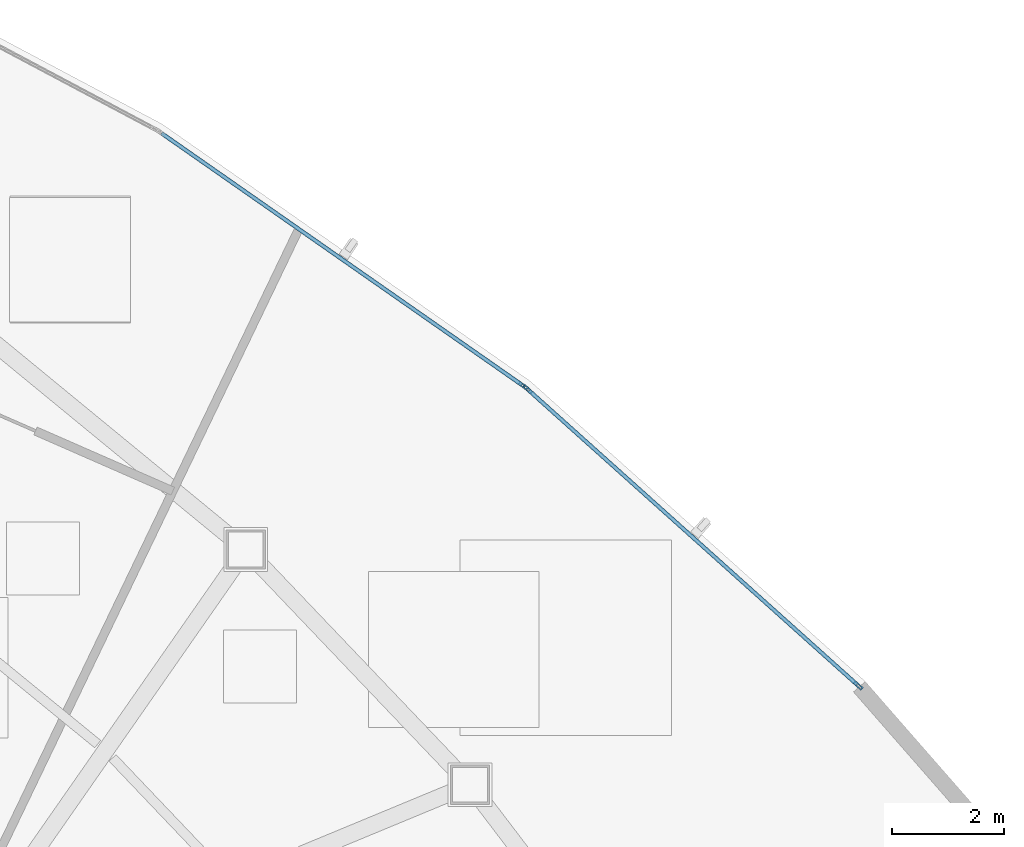
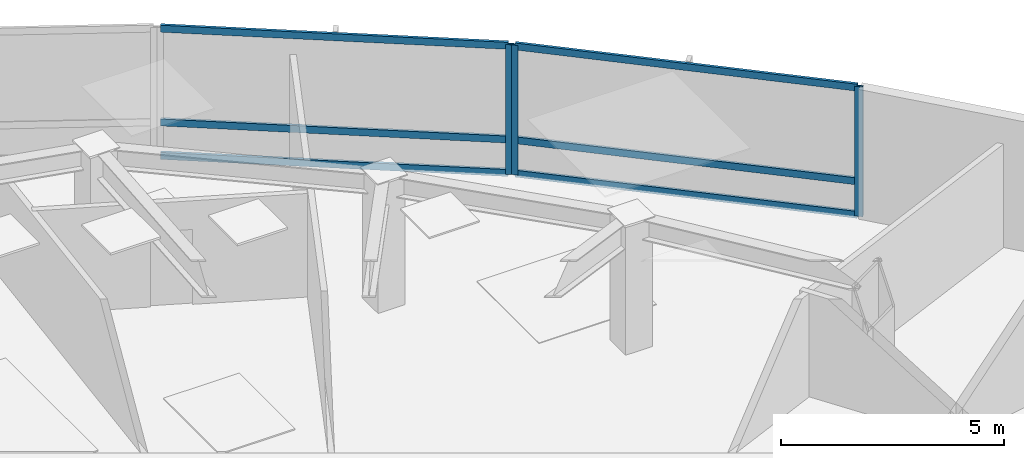
# One storey, part 9 of 17: 9 members, 2 elements without a shape of their own.
"""IFC4 building model written with IfcOpenShell, lengths in metres."""

import ifcopenshell
import ifcopenshell.guid

model = None  # the IFC model being written
_history = None  # IfcOwnerHistory: only IFC2X3 demands one
_inside = {}  # id of a spatial element -> (the spatial element, [elements in it])
_under = {}  # id of a project, library or spatial element -> (it, [spatial elements below it])
_declared = {}  # id of a project -> (the project, [libraries it declares])
_typed = {}  # id of a type object -> (the type object, [elements of that type])
_made_of = {}  # id of a material, layer set ... -> (it, [elements and type objects made of it])


def new_model(schema):
    """Start an empty IFC model of exactly this schema.

    Asked for "IFC4X3", IfcOpenShell would pick the latest addendum, in which some entities
    have other attributes; the version numbers below select the first issue.
    IFC2X3 requires an IfcOwnerHistory on every rooted entity: one is made here for all.
    """
    global model, _history
    if schema == "IFC4X3":
        model = ifcopenshell.file(schema_version=(4, 3, 0, 0))
    else:
        model = ifcopenshell.file(schema=schema)
    _inside.clear()
    _under.clear()
    _declared.clear()
    _typed.clear()
    _made_of.clear()
    _history = None
    if model.schema == "IFC2X3":
        org = make("IfcOrganization", Name="unknown")
        user = make(
            "IfcPersonAndOrganization",
            ThePerson=make("IfcPerson", FamilyName="unknown"),
            TheOrganization=org,
        )
        app = make(
            "IfcApplication",
            ApplicationDeveloper=org,
            Version="unknown",
            ApplicationFullName="unknown",
            ApplicationIdentifier="unknown",
        )
        _history = make(
            "IfcOwnerHistory",
            OwningUser=user,
            OwningApplication=app,
            ChangeAction="ADDED",
            CreationDate=0,
        )
    return model


def make(cls, **values):
    """One entity of the class cls with the attributes given. An attribute that is None is left unset."""
    return model.create_entity(
        cls, **{name: value for name, value in values.items() if value is not None}
    )


def rooted(cls, **values):
    """An entity with a GlobalId (a new one), such as an element, a storey or a relation."""
    return make(cls, GlobalId=ifcopenshell.guid.new(), OwnerHistory=_history, **values)


def si_unit(unit_type, name, prefix=None):
    """IfcSIUnit, for example si_unit("LENGTHUNIT", "METRE", prefix="MILLI")."""
    return make("IfcSIUnit", UnitType=unit_type, Prefix=prefix, Name=name)


def assignment(units):
    """IfcUnitAssignment: the units of a project."""
    return None if units is None else make("IfcUnitAssignment", Units=units)


def point(xyz):
    """IfcCartesianPoint."""
    return None if xyz is None else make("IfcCartesianPoint", Coordinates=xyz)


def direction(xyz):
    """IfcDirection."""
    return None if xyz is None else make("IfcDirection", DirectionRatios=xyz)


def frame(location, z_axis=None, x_axis=None):
    """IfcAxis2Placement3D, a coordinate frame: its origin and axes. An axis left out is left unset."""
    return make(
        "IfcAxis2Placement3D",
        Location=point(location),
        Axis=direction(z_axis),
        RefDirection=direction(x_axis),
    )


def frame_2d(location, x_axis=None):
    """IfcAxis2Placement2D, a coordinate frame in the plane: its origin and x axis."""
    return make(
        "IfcAxis2Placement2D", Location=point(location), RefDirection=direction(x_axis)
    )


def origin():
    """The frame at (0, 0, 0) with its axes left unset."""
    return frame((0.0, 0.0, 0.0))


def origin_2d():
    """The frame at (0, 0) in the plane with its x axis left unset."""
    return frame_2d((0.0, 0.0))


def place(relative_to, where):
    """IfcLocalPlacement: puts the frame where relative to a parent placement (None: the world)."""
    return make(
        "IfcLocalPlacement", PlacementRelTo=relative_to, RelativePlacement=where
    )


def context(
    kind, dimensions, precision=None, world=None, true_north=None, identifier=None
):
    """IfcGeometricRepresentationContext, for example the 3D "Model" context."""
    return make(
        "IfcGeometricRepresentationContext",
        ContextIdentifier=identifier,
        ContextType=kind,
        CoordinateSpaceDimension=dimensions,
        Precision=precision,
        WorldCoordinateSystem=world,
        TrueNorth=true_north,
    )


def subcontext(parent, identifier, kind, view, scale=None):
    """IfcGeometricRepresentationSubContext, for example "Body" below "Model"."""
    return make(
        "IfcGeometricRepresentationSubContext",
        ContextIdentifier=identifier,
        ContextType=kind,
        ParentContext=parent,
        TargetScale=scale,
        TargetView=view,
    )


def project(units=None, contexts=None):
    """IfcProject with its units and contexts."""
    return rooted(
        "IfcProject",
        Name="project",
        RepresentationContexts=contexts,
        UnitsInContext=assignment(units),
    )


def spatial(cls, under=None, at=None, **own):
    """A site, building, storey or space (cls), placed at a placement, below another one or the project."""
    s = rooted(cls, ObjectPlacement=at, **own)
    if under is not None:
        _under.setdefault(under.id(), (under, []))[1].append(s)
    return s


def profile(cls, at=None, kind="AREA", **sizes):
    """A parametric profile (cls). Its sizes go by their IFC names, for example OverallWidth=200.0."""
    return make(cls, ProfileType=kind, Position=at, **sizes)


def hollow_rectangle(**sizes):
    """IfcRectangleHollowProfileDef."""
    return profile("IfcRectangleHollowProfileDef", **sizes)


def extrude(swept, where, along, depth):
    """IfcExtrudedAreaSolid: the profile swept, set in the frame where, extruded along a direction by depth."""
    return make(
        "IfcExtrudedAreaSolid",
        SweptArea=swept,
        Position=where,
        ExtrudedDirection=direction(along),
        Depth=depth,
    )


def shape(context_of_items, identifier, shape_type, items):
    """IfcShapeRepresentation: the items that make up one representation, for example the "Body"."""
    return make(
        "IfcShapeRepresentation",
        ContextOfItems=context_of_items,
        RepresentationIdentifier=identifier,
        RepresentationType=shape_type,
        Items=items,
    )


def source(mapping_origin, context_of_items, identifier, shape_type, items):
    """IfcRepresentationMap: a shape defined once, which mapped items show again and again."""
    return make(
        "IfcRepresentationMap",
        MappingOrigin=mapping_origin,
        MappedRepresentation=shape(context_of_items, identifier, shape_type, items),
    )


def transform(
    local_origin,
    x_axis=None,
    y_axis=None,
    z_axis=None,
    scale=None,
    scale2=None,
    scale3=None,
    uniform=True,
):
    """IfcCartesianTransformationOperator3D, or its non-uniform kind. x_axis, y_axis, z_axis: its Axis1, 2, 3."""
    if uniform:
        return make(
            "IfcCartesianTransformationOperator3D",
            Axis1=direction(x_axis),
            Axis2=direction(y_axis),
            LocalOrigin=point(local_origin),
            Scale=scale,
            Axis3=direction(z_axis),
        )
    return make(
        "IfcCartesianTransformationOperator3DnonUniform",
        Axis1=direction(x_axis),
        Axis2=direction(y_axis),
        LocalOrigin=point(local_origin),
        Scale=scale,
        Axis3=direction(z_axis),
        Scale2=scale2,
        Scale3=scale3,
    )


def mapped(mapping_source, mapping_target):
    """IfcMappedItem: shows the shape of a source again, moved by a transform."""
    return make(
        "IfcMappedItem", MappingSource=mapping_source, MappingTarget=mapping_target
    )


def material(Name=None, Category=None):
    """IfcMaterial."""
    return make("IfcMaterial", Name=Name, Category=Category)


def layer(
    of_material, thickness, ventilated=None, Name=None, Category=None, Priority=None
):
    """IfcMaterialLayer: one layer of a wall or slab, of a material (None: an air gap)."""
    return make(
        "IfcMaterialLayer",
        Material=of_material,
        LayerThickness=thickness,
        IsVentilated=ventilated,
        Name=Name,
        Category=Category,
        Priority=Priority,
    )


def layer_set(layers, Name=None):
    """IfcMaterialLayerSet."""
    return make("IfcMaterialLayerSet", MaterialLayers=layers, LayerSetName=Name)


def material_profile(
    of_material, cross_section, Name=None, Category=None, Priority=None
):
    """IfcMaterialProfile: a cross section and its material."""
    return make(
        "IfcMaterialProfile",
        Name=Name,
        Material=of_material,
        Profile=cross_section,
        Priority=Priority,
        Category=Category,
    )


def profile_set(profiles, Name=None, composite=None):
    """IfcMaterialProfileSet."""
    return make(
        "IfcMaterialProfileSet",
        Name=Name,
        MaterialProfiles=profiles,
        CompositeProfile=composite,
    )


def made_of(thing, what):
    """Note that an element or type object is made of a material, layer set ...; save() writes the relation."""
    if what is not None:
        _made_of.setdefault(what.id(), (what, []))[1].append(thing)
    return thing


def type_object(cls, material=None, **own):
    """A type object (cls), such as IfcWallType, which elements share."""
    return made_of(rooted(cls, **own), material)


def type_shapes(of_type, sources):
    """Give a type object the sources (RepresentationMaps) that its elements show as mapped items."""
    of_type.RepresentationMaps = sources


def element(
    cls,
    number,
    at=None,
    inside=None,
    cuts=None,
    type_object=None,
    material=None,
    context=None,
    identifier="Body",
    shape_type=None,
    held_by="IfcProductDefinitionShape",
    body=None,
    shapes=None,
    **own,
):
    """One element of the class cls, such as IfcWall. Its Tag is "e" and its number.

    at: its placement. inside: the storey or other place that contains it. cuts: it is an
    opening in that element (IfcRelVoidsElement). A single representation is given by context,
    identifier, shape_type and body (its items); several are given by shapes. held_by: the class
    of the entity that holds the representations. save() writes the other relations.
    """
    e = rooted(cls, Tag="e%d" % number, ObjectPlacement=at, **own)
    if body is not None:
        shapes = [shape(context, identifier, shape_type, body)]
    if shapes is not None:
        e.Representation = make(held_by, Representations=shapes)
    if inside is not None:
        _inside.setdefault(inside.id(), (inside, []))[1].append(e)
    if cuts is not None:
        rooted(
            "IfcRelVoidsElement", RelatingBuildingElement=cuts, RelatedOpeningElement=e
        )
    if type_object is not None:
        _typed.setdefault(type_object.id(), (type_object, []))[1].append(e)
    return made_of(e, material)


def aggregate(whole, parts):
    """IfcRelAggregates: a whole, such as a stair, and the parts it consists of."""
    return rooted("IfcRelAggregates", RelatingObject=whole, RelatedObjects=parts)


def save(model, path):
    """Write the relations noted so far, then the file.

    IfcRelAggregates (storeys below a building ...), IfcRelContainedInSpatialStructure (elements
    in a storey), IfcRelDefinesByType, IfcRelAssociatesMaterial and IfcRelDeclares: one each for
    every whole, place, type object, material and project.
    """
    for whole, parts in _under.values():
        aggregate(whole, parts)
    for where, things in _inside.values():
        rooted(
            "IfcRelContainedInSpatialStructure",
            RelatedElements=things,
            RelatingStructure=where,
        )
    for kind, things in _typed.values():
        rooted("IfcRelDefinesByType", RelatedObjects=things, RelatingType=kind)
    for what, things in _made_of.values():
        rooted("IfcRelAssociatesMaterial", RelatedObjects=things, RelatingMaterial=what)
    for by, libraries in _declared.values():
        rooted("IfcRelDeclares", RelatingContext=by, RelatedDefinitions=libraries)
    model.write(path)


model = new_model("IFC4")

# Units and contexts
model_context = context("Model", 3, precision=1e-05, world=origin(), true_north=direction((0.0, 1.0)))
body_context = subcontext(model_context, "Body", "Model", "MODEL_VIEW")
ifc_project = project(units=[si_unit("LENGTHUNIT", "METRE"), si_unit("AREAUNIT", "SQUARE_METRE"), si_unit("VOLUMEUNIT", "CUBIC_METRE"), si_unit("PLANEANGLEUNIT", "RADIAN"), si_unit("MASSUNIT", "GRAM", prefix="KILO")], contexts=[model_context])

# Site, building, storey
site_placement = place(None, origin())
site = spatial("IfcSite", under=ifc_project, at=site_placement, CompositionType="ELEMENT")
building_placement = place(site_placement, origin())
building = spatial("IfcBuilding", under=site, at=building_placement, Name="Tavelor Broadcast Tower", CompositionType="ELEMENT")
storey_placement = place(building_placement, frame((0.0, 0.0, 123.300048828125)))
storey = spatial("IfcBuildingStorey", under=building, at=storey_placement, Name="L28", CompositionType="ELEMENT", Elevation=123.300048828125)

# Curtain wall, members
ifc_material = material(Name="Architectural Anodized Aluminium", Category="aluminium")
ifc_layer = layer(ifc_material, 0.18994140625)
ifc_layer_set = layer_set([ifc_layer], Name="Architectural Anodized Aluminium")
curtain_wall_type = type_object("IfcCurtainWallType", Name="Tower Mid-Zone Acoustic Curtain Wall CW03", PredefinedType="NOTDEFINED", material=ifc_layer_set)
curtain_wall_1_placement = place(storey_placement, origin())
curtain_wall_1 = element("IfcCurtainWall", 1, at=curtain_wall_1_placement, inside=storey, type_object=curtain_wall_type, Name="L28 Curtain Wall CW03 Run 285", PredefinedType="NOTDEFINED")
ifc_material_profile_1 = material_profile(ifc_material, hollow_rectangle(XDim=0.068115234375, YDim=0.18994140625, WallThickness=0.02197265625, at=origin_2d()), Name="RHS 68x190x22")
ifc_profile_set_1 = profile_set([ifc_material_profile_1], Name="Architectural Anodized Aluminium")
member_type_1 = type_object("IfcMemberType", Name="CW03 Extruded Aluminium Mullion 68x190", PredefinedType="MULLION", material=ifc_profile_set_1)
shared_shape_1 = source(origin(), body_context, "Body", "SweptSolid", [
    extrude(hollow_rectangle(XDim=0.068115234375, YDim=0.18994140625, WallThickness=0.02197265625, at=origin_2d()), origin(), (0.0, 0.0, 1.0), 3.550048828125),
])
type_shapes(member_type_1, [shared_shape_1])
member_1_placement = place(storey_placement, frame((73.235595703125, 56.993896484375, 0.0), z_axis=(0.0, 0.0, 1.0), x_axis=(-0.667515040888, -0.744596313574, 0.0)))
member_1 = element("IfcMember", 2, at=member_1_placement, type_object=member_type_1, Name="CW03 mullion 1", PredefinedType="MULLION", context=body_context, shape_type="MappedRepresentation", body=[
    mapped(shared_shape_1, transform((0.0, 0.0, 0.0), scale=1.0)),
])
member_2_placement = place(storey_placement, frame((67.350341796875, 62.27001953125, 0.0), z_axis=(0.0, 0.0, 1.0), x_axis=(-0.667515040888, -0.744596313574, 0.0)))
member_2 = element("IfcMember", 3, at=member_2_placement, type_object=member_type_1, Name="CW03 mullion 2", PredefinedType="MULLION", context=body_context, shape_type="MappedRepresentation", body=[
    mapped(shared_shape_1, transform((0.0, 0.0, 0.0), scale=1.0)),
])

curtain_wall_2_placement = place(storey_placement, origin())
curtain_wall_2 = element("IfcCurtainWall", 4, at=curtain_wall_2_placement, inside=storey, type_object=curtain_wall_type, Name="L28 Curtain Wall CW03 Run 286", PredefinedType="NOTDEFINED")
member_3_placement = place(storey_placement, frame((67.273681640625, 62.330810546875, 0.0), z_axis=(0.0, 0.0, 1.0), x_axis=(-0.572500408226, -0.819904435029, 0.0)))
member_3 = element("IfcMember", 5, at=member_3_placement, type_object=member_type_1, Name="CW03 mullion 1", PredefinedType="MULLION", context=body_context, shape_type="MappedRepresentation", body=[
    mapped(shared_shape_1, transform((0.0, 0.0, 0.0), scale=1.0)),
])
ifc_material_profile_2 = material_profile(ifc_material, hollow_rectangle(XDim=0.068115234375, YDim=0.18994140625, WallThickness=0.02197265625, at=origin_2d()), Name="RHS 68x190x22")
ifc_profile_set_2 = profile_set([ifc_material_profile_2], Name="Architectural Anodized Aluminium")
member_type_2 = type_object("IfcMemberType", Name="CW03 Extruded Aluminium Transom 68x190", PredefinedType="USERDEFINED", material=ifc_profile_set_2)
shared_shape_2 = source(origin(), body_context, "Body", "SweptSolid", [
    extrude(hollow_rectangle(XDim=0.068115234375, YDim=0.18994140625, WallThickness=0.02197265625, at=origin_2d()), origin(), (0.0, 0.0, 1.0), 7.821044921875),
])
member_4_placement = place(storey_placement, frame((67.245849609375, 62.350341796875, 0.033935546875), z_axis=(-0.819908873861, 0.572494051116, 0.0), x_axis=(-0.572494051116, -0.819908873861, 0.0)))
member_4 = element("IfcMember", 6, at=member_4_placement, type_object=member_type_2, Name="CW03 transom 1.1", ObjectType="TRANSOM", PredefinedType="USERDEFINED", context=body_context, shape_type="MappedRepresentation", body=[
    mapped(shared_shape_2, transform((0.0, 0.0, 0.0), scale=1.0)),
])
member_5_placement = place(storey_placement, frame((67.245849609375, 62.350341796875, 0.949951171875), z_axis=(-0.819908873861, 0.572494051116, 0.0), x_axis=(-0.572494051116, -0.819908873861, 0.0)))
member_5 = element("IfcMember", 7, at=member_5_placement, type_object=member_type_2, Name="CW03 transom 1.2", ObjectType="TRANSOM", PredefinedType="USERDEFINED", context=body_context, shape_type="MappedRepresentation", body=[
    mapped(shared_shape_2, transform((0.0, 0.0, 0.0), scale=1.0)),
])
member_6_placement = place(storey_placement, frame((67.245849609375, 62.350341796875, 3.515869140625), z_axis=(-0.819908873861, 0.572494051116, 0.0), x_axis=(-0.572494051116, -0.819908873861, 0.0)))
member_6 = element("IfcMember", 8, at=member_6_placement, type_object=member_type_2, Name="CW03 transom 1.3", ObjectType="TRANSOM", PredefinedType="USERDEFINED", context=body_context, shape_type="MappedRepresentation", body=[
    mapped(shared_shape_2, transform((0.0, 0.0, 0.0), scale=1.0)),
])
aggregate(curtain_wall_2, [member_3, member_4, member_5, member_6])

# Member
shared_shape_3 = source(origin(), body_context, "Body", "SweptSolid", [
    extrude(hollow_rectangle(XDim=0.068115234375, YDim=0.18994140625, WallThickness=0.02197265625, at=origin_2d()), origin(), (0.0, 0.0, 1.0), 7.836181640625),
])
type_shapes(member_type_2, [shared_shape_2, shared_shape_3])
member_7_placement = place(storey_placement, frame((73.21044921875, 57.0166015625, 0.033935546875), z_axis=(-0.744595605306, 0.667515830942, 0.0), x_axis=(-0.667515830942, -0.744595605306, 0.0)))
member_7 = element("IfcMember", 9, at=member_7_placement, type_object=member_type_2, Name="CW03 transom 1.1", ObjectType="TRANSOM", PredefinedType="USERDEFINED", context=body_context, shape_type="MappedRepresentation", body=[
    mapped(shared_shape_3, transform((0.0, 0.0, 0.0), scale=1.0)),
])

member_8_placement = place(storey_placement, frame((73.21044921875, 57.0166015625, 0.949951171875), z_axis=(-0.744595605306, 0.667515830942, 0.0), x_axis=(-0.667515830942, -0.744595605306, 0.0)))
member_8 = element("IfcMember", 10, at=member_8_placement, type_object=member_type_2, Name="CW03 transom 1.2", ObjectType="TRANSOM", PredefinedType="USERDEFINED", context=body_context, shape_type="MappedRepresentation", body=[
    mapped(shared_shape_3, transform((0.0, 0.0, 0.0), scale=1.0)),
])

member_9_placement = place(storey_placement, frame((73.21044921875, 57.0166015625, 3.515869140625), z_axis=(-0.744595605306, 0.667515830942, 0.0), x_axis=(-0.667515830942, -0.744595605306, 0.0)))
member_9 = element("IfcMember", 11, at=member_9_placement, type_object=member_type_2, Name="CW03 transom 1.3", ObjectType="TRANSOM", PredefinedType="USERDEFINED", context=body_context, shape_type="MappedRepresentation", body=[
    mapped(shared_shape_3, transform((0.0, 0.0, 0.0), scale=1.0)),
])

aggregate(curtain_wall_1, [member_1, member_2, member_7, member_8, member_9])

save(model, "model.ifc")
